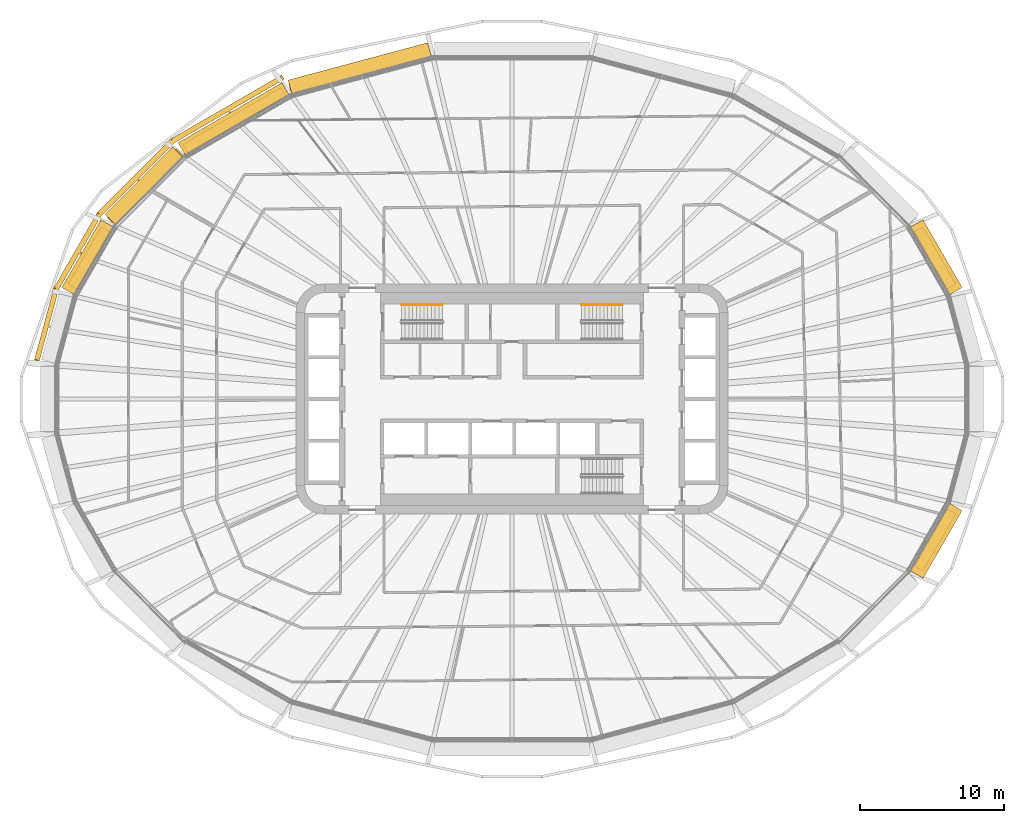
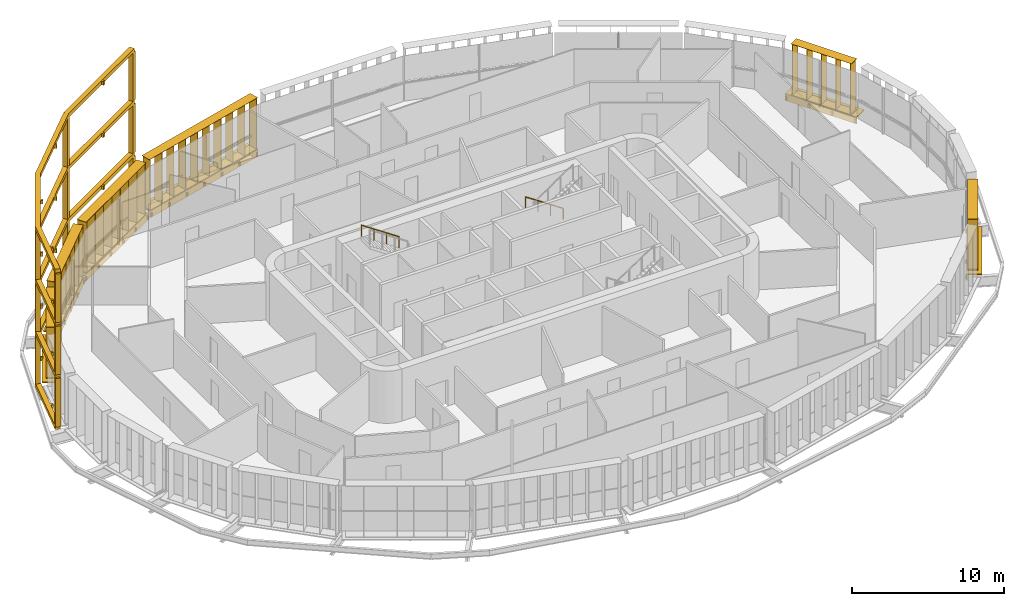
# One storey, part 25 of 26: 13 shading devices, 2 railings.
"""IFC4 building model written with IfcOpenShell, lengths in metres."""

from ifc_helpers import new_model, si_unit, direction, frame, origin, origin_2d, place, context, subcontext, project, spatial, polyline, rectangle, circle, outline, extrude, material, type_object, element, save


model = new_model("IFC4")

# Units and contexts
model_context = context("Model", 3, precision=1e-05, world=origin(), true_north=direction((0.0, 1.0)))
body_context = subcontext(model_context, "Body", "Model", "MODEL_VIEW")
ifc_project = project(units=[si_unit("LENGTHUNIT", "METRE"), si_unit("AREAUNIT", "SQUARE_METRE"), si_unit("VOLUMEUNIT", "CUBIC_METRE"), si_unit("PLANEANGLEUNIT", "RADIAN"), si_unit("MASSUNIT", "GRAM", prefix="KILO")], contexts=[model_context])

# Site, building, storey
site_placement = place(None, origin())
site = spatial("IfcSite", under=ifc_project, at=site_placement, CompositionType="ELEMENT")
building_placement = place(site_placement, origin())
building = spatial("IfcBuilding", under=site, at=building_placement, Name="Sahrelin Media Tower", CompositionType="ELEMENT")
storey_placement = place(building_placement, frame((0.0, 0.0, 84.0)))
storey = spatial("IfcBuildingStorey", under=building, at=storey_placement, Name="L15", CompositionType="ELEMENT", Elevation=84.0)

# Shading devices
ifc_material_1 = material(Name="Dark bronze anodised aluminium 6063-T6", Category="aluminium")
shading_device_type_1 = type_object("IfcShadingDeviceType", Name="Deep frame", PredefinedType="USERDEFINED", material=ifc_material_1)
shading_device_1_placement = place(storey_placement, frame((-15.37841796875, 21.1376953125, 0.0), z_axis=(0.0, 0.0, 1.0), x_axis=(0.866019052629, 0.500011000363, 0.0)))
element("IfcShadingDevice", 1, at=shading_device_1_placement, inside=storey, type_object=shading_device_type_1, Name="L15:FRAME:F1-4", ObjectType="FRAME", PredefinedType="USERDEFINED", context=body_context, shape_type="SweptSolid", body=[
    extrude(rectangle(XDim=0.300048828125, YDim=0.35009765625, at=origin_2d()), frame((0.0, 1.324951171875, 0.14990234375), z_axis=(0.0, 0.0, 1.0), x_axis=(-1.0, 0.0, 0.0)), (0.0, 0.0, 1.0), 3.900146484375),
    extrude(rectangle(XDim=0.300048828125, YDim=0.35009765625, at=origin_2d()), frame((-8.709716796875, 1.313720703125, 0.14990234375), z_axis=(0.0, 0.0, 1.0), x_axis=(-0.991434606813, -0.130604059715, 0.0)), (0.0, 0.0, 1.0), 3.900146484375),
    extrude(rectangle(XDim=0.300048828125, YDim=0.35009765625, at=origin_2d()), frame((-15.657470703125, -0.5478515625, 0.14990234375), z_axis=(0.0, 0.0, 1.0), x_axis=(-0.923876860854, -0.382689882252, 0.0)), (0.0, 0.0, 1.0), 3.900146484375),
    extrude(rectangle(XDim=0.300048828125, YDim=0.35009765625, at=origin_2d()), frame((-20.836181640625, -3.537841796875, 0.14990234375), z_axis=(0.0, 0.0, 1.0), x_axis=(-0.793352277801, -0.608762813671, 0.0)), (0.0, 0.0, 1.0), 3.900146484375),
    extrude(rectangle(XDim=0.300048828125, YDim=0.35009765625, at=origin_2d()), frame((-24.46728515625, -7.15283203125, 0.14990234375), z_axis=(0.0, 0.0, 1.0), x_axis=(-0.707106781187, -0.707106781187, 0.0)), (0.0, 0.0, 1.0), 3.900146484375),
    extrude(outline(polyline([(-22.518798828125, -5.70654296875), (-22.412841796875, -5.6005859375), (-22.5361328125, -5.477294921875), (-20.72900390625, -3.677978515625), (-18.224365234375, -2.23193359375), (-18.139892578125, -2.3779296875), (-18.010009765625, -2.302978515625), (-18.094482421875, -2.156982421875), (-15.58984375, -0.7109375), (-12.210693359375, 0.1943359375), (-12.1669921875, 0.031494140625), (-12.022216796875, 0.0703125), (-12.06591796875, 0.2333984375), (-8.6865234375, 1.138671875), (-4.343505859375, 1.144287109375), (-4.343505859375, 0.969970703125), (-4.193359375, 0.969970703125), (-4.193359375, 1.14453125), (0.000244140625, 1.14990234375), (-0.000244140625, 1.5), (-8.7099609375, 1.48876953125), (-8.709716796875, 1.313720703125), (-8.7548828125, 1.482666015625), (-15.702880859375, -0.37890625), (-15.657470703125, -0.5478515625), (-15.7451171875, -0.396240234375), (-20.923828125, -3.386474609375), (-20.836181640625, -3.537841796875), (-20.959716796875, -3.413818359375), (-24.5908203125, -7.02880859375), (-24.34375, -7.27685546875), (-22.642333984375, -5.5830078125), (-22.518798828125, -5.70654296875)])), frame((0.0, 0.0, -0.14990234375)), (0.0, 0.0, 1.0), 0.2998046875),
    extrude(rectangle(XDim=0.300048828125, YDim=0.35009765625, at=origin_2d()), frame((0.0, 1.324951171875, 4.35009765625), z_axis=(0.0, 0.0, 1.0), x_axis=(-1.0, 0.0, 0.0)), (0.0, 0.0, 1.0), 3.89990234375),
    extrude(rectangle(XDim=0.300048828125, YDim=0.35009765625, at=origin_2d()), frame((-8.709716796875, 1.313720703125, 4.35009765625), z_axis=(0.0, 0.0, 1.0), x_axis=(-0.991434606813, -0.130604059715, 0.0)), (0.0, 0.0, 1.0), 3.89990234375),
    extrude(rectangle(XDim=0.300048828125, YDim=0.35009765625, at=origin_2d()), frame((-15.657470703125, -0.5478515625, 4.35009765625), z_axis=(0.0, 0.0, 1.0), x_axis=(-0.923876860854, -0.382689882252, 0.0)), (0.0, 0.0, 1.0), 3.89990234375),
    extrude(rectangle(XDim=0.300048828125, YDim=0.35009765625, at=origin_2d()), frame((-20.836181640625, -3.537841796875, 4.35009765625), z_axis=(0.0, 0.0, 1.0), x_axis=(-0.793352277801, -0.608762813671, 0.0)), (0.0, 0.0, 1.0), 3.89990234375),
    extrude(rectangle(XDim=0.300048828125, YDim=0.35009765625, at=origin_2d()), frame((-24.46728515625, -7.15283203125, 4.35009765625), z_axis=(0.0, 0.0, 1.0), x_axis=(-0.707106781187, -0.707106781187, 0.0)), (0.0, 0.0, 1.0), 3.89990234375),
    extrude(outline(polyline([(-22.518798828125, -5.70654296875), (-22.412841796875, -5.6005859375), (-22.5361328125, -5.477294921875), (-20.72900390625, -3.677978515625), (-18.224365234375, -2.23193359375), (-18.139892578125, -2.3779296875), (-18.010009765625, -2.302978515625), (-18.094482421875, -2.156982421875), (-15.58984375, -0.7109375), (-12.210693359375, 0.1943359375), (-12.1669921875, 0.031494140625), (-12.022216796875, 0.0703125), (-12.06591796875, 0.2333984375), (-8.6865234375, 1.138671875), (-4.343505859375, 1.144287109375), (-4.343505859375, 0.969970703125), (-4.193359375, 0.969970703125), (-4.193359375, 1.14453125), (0.000244140625, 1.14990234375), (-0.000244140625, 1.5), (-8.7099609375, 1.48876953125), (-8.709716796875, 1.313720703125), (-8.7548828125, 1.482666015625), (-15.702880859375, -0.37890625), (-15.657470703125, -0.5478515625), (-15.7451171875, -0.396240234375), (-20.923828125, -3.386474609375), (-20.836181640625, -3.537841796875), (-20.959716796875, -3.413818359375), (-24.5908203125, -7.02880859375), (-24.34375, -7.27685546875), (-22.642333984375, -5.5830078125), (-22.518798828125, -5.70654296875)])), frame((0.0, 0.0, 4.050048828125)), (0.0, 0.0, 1.0), 0.300048828125),
    extrude(rectangle(XDim=0.300048828125, YDim=0.35009765625, at=origin_2d()), frame((0.0, 1.324951171875, 8.550048828125), z_axis=(0.0, 0.0, 1.0), x_axis=(-1.0, 0.0, 0.0)), (0.0, 0.0, 1.0), 3.89990234375),
    extrude(rectangle(XDim=0.300048828125, YDim=0.35009765625, at=origin_2d()), frame((-8.709716796875, 1.313720703125, 8.550048828125), z_axis=(0.0, 0.0, 1.0), x_axis=(-0.991434606813, -0.130604059715, 0.0)), (0.0, 0.0, 1.0), 3.89990234375),
    extrude(rectangle(XDim=0.300048828125, YDim=0.35009765625, at=origin_2d()), frame((-15.657470703125, -0.5478515625, 8.550048828125), z_axis=(0.0, 0.0, 1.0), x_axis=(-0.923876860854, -0.382689882252, 0.0)), (0.0, 0.0, 1.0), 3.89990234375),
    extrude(rectangle(XDim=0.300048828125, YDim=0.35009765625, at=origin_2d()), frame((-20.836181640625, -3.537841796875, 8.550048828125), z_axis=(0.0, 0.0, 1.0), x_axis=(-0.793352277801, -0.608762813671, 0.0)), (0.0, 0.0, 1.0), 3.89990234375),
    extrude(rectangle(XDim=0.300048828125, YDim=0.35009765625, at=origin_2d()), frame((-24.46728515625, -7.15283203125, 8.550048828125), z_axis=(0.0, 0.0, 1.0), x_axis=(-0.707106781187, -0.707106781187, 0.0)), (0.0, 0.0, 1.0), 3.89990234375),
    extrude(outline(polyline([(-22.518798828125, -5.70654296875), (-22.412841796875, -5.6005859375), (-22.5361328125, -5.477294921875), (-20.72900390625, -3.677978515625), (-18.224365234375, -2.23193359375), (-18.139892578125, -2.3779296875), (-18.010009765625, -2.302978515625), (-18.094482421875, -2.156982421875), (-15.58984375, -0.7109375), (-12.210693359375, 0.1943359375), (-12.1669921875, 0.031494140625), (-12.022216796875, 0.0703125), (-12.06591796875, 0.2333984375), (-8.6865234375, 1.138671875), (-4.343505859375, 1.144287109375), (-4.343505859375, 0.969970703125), (-4.193359375, 0.969970703125), (-4.193359375, 1.14453125), (0.000244140625, 1.14990234375), (-0.000244140625, 1.5), (-8.7099609375, 1.48876953125), (-8.709716796875, 1.313720703125), (-8.7548828125, 1.482666015625), (-15.702880859375, -0.37890625), (-15.657470703125, -0.5478515625), (-15.7451171875, -0.396240234375), (-20.923828125, -3.386474609375), (-20.836181640625, -3.537841796875), (-20.959716796875, -3.413818359375), (-24.5908203125, -7.02880859375), (-24.34375, -7.27685546875), (-22.642333984375, -5.5830078125), (-22.518798828125, -5.70654296875)])), frame((0.0, 0.0, 8.25)), (0.0, 0.0, 1.0), 0.300048828125),
    extrude(outline(polyline([(-22.518798828125, -5.70654296875), (-22.412841796875, -5.6005859375), (-22.5361328125, -5.477294921875), (-20.72900390625, -3.677978515625), (-18.224365234375, -2.23193359375), (-18.139892578125, -2.3779296875), (-18.010009765625, -2.302978515625), (-18.094482421875, -2.156982421875), (-15.58984375, -0.7109375), (-12.210693359375, 0.1943359375), (-12.1669921875, 0.031494140625), (-12.022216796875, 0.0703125), (-12.06591796875, 0.2333984375), (-8.6865234375, 1.138671875), (-4.343505859375, 1.144287109375), (-4.343505859375, 0.969970703125), (-4.193359375, 0.969970703125), (-4.193359375, 1.14453125), (0.000244140625, 1.14990234375), (-0.000244140625, 1.5), (-8.7099609375, 1.48876953125), (-8.709716796875, 1.313720703125), (-8.7548828125, 1.482666015625), (-15.702880859375, -0.37890625), (-15.657470703125, -0.5478515625), (-15.7451171875, -0.396240234375), (-20.923828125, -3.386474609375), (-20.836181640625, -3.537841796875), (-20.959716796875, -3.413818359375), (-24.5908203125, -7.02880859375), (-24.34375, -7.27685546875), (-22.642333984375, -5.5830078125), (-22.518798828125, -5.70654296875)])), frame((0.0, 0.0, 12.449951171875)), (0.0, 0.0, 1.0), 0.300048828125),
])
ifc_material_2 = material(Name="Champagne anodised aluminium 6063-T6", Category="aluminium")
shading_device_type_2 = type_object("IfcShadingDeviceType", Name="Fin cassette", PredefinedType="USERDEFINED", material=ifc_material_2)
placement_1 = place(storey_placement, frame((29.021484375, 9.58837890625, 0.0), z_axis=(0.0, 0.0, 1.0), x_axis=(0.500011000363, -0.866019052629, 0.0)))
element("IfcShadingDevice", 2, at=placement_1, inside=storey, type_object=shading_device_type_2, Name="L15:FIN:L15-02", ObjectType="FIN", PredefinedType="USERDEFINED", context=body_context, shape_type="SweptSolid", body=[
    extrude(rectangle(XDim=4.60009765625, YDim=0.699951171875, at=origin_2d()), frame((0.0, 0.419921875, 0.0)), (0.0, 0.0, 1.0), 0.02001953125),
    extrude(rectangle(XDim=4.60009765625, YDim=0.699951171875, at=origin_2d()), frame((0.0, 0.419921875, 4.10009765625)), (0.0, 0.0, 1.0), 0.02001953125),
    extrude(rectangle(XDim=0.02001953125, YDim=0.699951171875, at=origin_2d()), frame((-2.199951171875, 0.419921875, 0.010009765625), z_axis=(0.0, 0.0, 1.0), x_axis=(1.0, 0.0, 0.0)), (0.0, 0.0, 1.0), 4.10009765625),
    extrude(rectangle(XDim=0.02001953125, YDim=0.699951171875, at=origin_2d()), frame((-1.10009765625, 0.419921875, 0.010009765625), z_axis=(0.0, 0.0, 1.0), x_axis=(1.0, 0.0, 0.0)), (0.0, 0.0, 1.0), 4.10009765625),
    extrude(rectangle(XDim=0.02001953125, YDim=0.699951171875, at=origin_2d()), frame((0.0, 0.419921875, 0.010009765625), z_axis=(0.0, 0.0, 1.0), x_axis=(1.0, 0.0, 0.0)), (0.0, 0.0, 1.0), 4.10009765625),
    extrude(rectangle(XDim=0.02001953125, YDim=0.699951171875, at=origin_2d()), frame((1.10009765625, 0.419921875, 0.010009765625), z_axis=(0.0, 0.0, 1.0), x_axis=(1.0, 0.0, 0.0)), (0.0, 0.0, 1.0), 4.10009765625),
    extrude(rectangle(XDim=0.02001953125, YDim=0.699951171875, at=origin_2d()), frame((2.199951171875, 0.419921875, 0.010009765625), z_axis=(0.0, 0.0, 1.0), x_axis=(1.0, 0.0, 0.0)), (0.0, 0.0, 1.0), 4.10009765625),
])
placement_2 = place(storey_placement, frame((-10.436279296875, 22.4619140625, 0.0), z_axis=(0.0, 0.0, 1.0), x_axis=(0.965928857556, 0.258807731996, 0.0)))
element("IfcShadingDevice", 3, at=placement_2, inside=storey, type_object=shading_device_type_2, Name="L15:FIN:L15-07", ObjectType="FIN", PredefinedType="USERDEFINED", context=body_context, shape_type="SweptSolid", body=[
    extrude(rectangle(XDim=10.10009765625, YDim=0.699951171875, at=origin_2d()), frame((0.0, 0.419921875, 0.0)), (0.0, 0.0, 1.0), 0.02001953125),
    extrude(rectangle(XDim=10.10009765625, YDim=0.699951171875, at=origin_2d()), frame((0.0, 0.419921875, 4.10009765625)), (0.0, 0.0, 1.0), 0.02001953125),
    extrude(rectangle(XDim=0.02001953125, YDim=0.699951171875, at=origin_2d()), frame((-4.949951171875, 0.419921875, 0.010009765625), z_axis=(0.0, 0.0, 1.0), x_axis=(1.0, 0.0, 0.0)), (0.0, 0.0, 1.0), 4.10009765625),
    extrude(rectangle(XDim=0.02001953125, YDim=0.699951171875, at=origin_2d()), frame((-3.85009765625, 0.419921875, 0.010009765625), z_axis=(0.0, 0.0, 1.0), x_axis=(1.0, 0.0, 0.0)), (0.0, 0.0, 1.0), 4.10009765625),
    extrude(rectangle(XDim=0.02001953125, YDim=0.699951171875, at=origin_2d()), frame((-2.75, 0.419921875, 0.010009765625), z_axis=(0.0, 0.0, 1.0), x_axis=(1.0, 0.0, 0.0)), (0.0, 0.0, 1.0), 4.10009765625),
    extrude(rectangle(XDim=0.02001953125, YDim=0.699951171875, at=origin_2d()), frame((-1.64990234375, 0.419921875, 0.010009765625), z_axis=(0.0, 0.0, 1.0), x_axis=(1.0, 0.0, 0.0)), (0.0, 0.0, 1.0), 4.10009765625),
    extrude(rectangle(XDim=0.02001953125, YDim=0.699951171875, at=origin_2d()), frame((-0.550048828125, 0.419921875, 0.010009765625), z_axis=(0.0, 0.0, 1.0), x_axis=(1.0, 0.0, 0.0)), (0.0, 0.0, 1.0), 4.10009765625),
    extrude(rectangle(XDim=0.02001953125, YDim=0.699951171875, at=origin_2d()), frame((0.550048828125, 0.419921875, 0.010009765625), z_axis=(0.0, 0.0, 1.0), x_axis=(1.0, 0.0, 0.0)), (0.0, 0.0, 1.0), 4.10009765625),
    extrude(rectangle(XDim=0.02001953125, YDim=0.699951171875, at=origin_2d()), frame((1.64990234375, 0.419921875, 0.010009765625), z_axis=(0.0, 0.0, 1.0), x_axis=(1.0, 0.0, 0.0)), (0.0, 0.0, 1.0), 4.10009765625),
    extrude(rectangle(XDim=0.02001953125, YDim=0.699951171875, at=origin_2d()), frame((2.75, 0.419921875, 0.010009765625), z_axis=(0.0, 0.0, 1.0), x_axis=(1.0, 0.0, 0.0)), (0.0, 0.0, 1.0), 4.10009765625),
    extrude(rectangle(XDim=0.02001953125, YDim=0.699951171875, at=origin_2d()), frame((3.85009765625, 0.419921875, 0.010009765625), z_axis=(0.0, 0.0, 1.0), x_axis=(1.0, 0.0, 0.0)), (0.0, 0.0, 1.0), 4.10009765625),
    extrude(rectangle(XDim=0.02001953125, YDim=0.699951171875, at=origin_2d()), frame((4.949951171875, 0.419921875, 0.010009765625), z_axis=(0.0, 0.0, 1.0), x_axis=(1.0, 0.0, 0.0)), (0.0, 0.0, 1.0), 4.10009765625),
])
placement_3 = place(storey_placement, frame((-19.074951171875, 19.003662109375, 0.0), z_axis=(0.0, 0.0, 1.0), x_axis=(0.866019052629, 0.500011000363, 0.0)))
element("IfcShadingDevice", 4, at=placement_3, inside=storey, type_object=shading_device_type_2, Name="L15:FIN:L15-08", ObjectType="FIN", PredefinedType="USERDEFINED", context=body_context, shape_type="SweptSolid", body=[
    extrude(rectangle(XDim=7.89990234375, YDim=0.699951171875, at=origin_2d()), frame((0.0, 0.419921875, 0.0)), (0.0, 0.0, 1.0), 0.02001953125),
    extrude(rectangle(XDim=7.89990234375, YDim=0.699951171875, at=origin_2d()), frame((0.0, 0.419921875, 4.10009765625)), (0.0, 0.0, 1.0), 0.02001953125),
    extrude(rectangle(XDim=0.02001953125, YDim=0.699951171875, at=origin_2d()), frame((-3.85009765625, 0.419921875, 0.010009765625), z_axis=(0.0, 0.0, 1.0), x_axis=(1.0, 0.0, 0.0)), (0.0, 0.0, 1.0), 4.10009765625),
    extrude(rectangle(XDim=0.02001953125, YDim=0.699951171875, at=origin_2d()), frame((-2.75, 0.419921875, 0.010009765625), z_axis=(0.0, 0.0, 1.0), x_axis=(1.0, 0.0, 0.0)), (0.0, 0.0, 1.0), 4.10009765625),
    extrude(rectangle(XDim=0.02001953125, YDim=0.699951171875, at=origin_2d()), frame((-1.64990234375, 0.419921875, 0.010009765625), z_axis=(0.0, 0.0, 1.0), x_axis=(1.0, 0.0, 0.0)), (0.0, 0.0, 1.0), 4.10009765625),
    extrude(rectangle(XDim=0.02001953125, YDim=0.699951171875, at=origin_2d()), frame((-0.550048828125, 0.419921875, 0.010009765625), z_axis=(0.0, 0.0, 1.0), x_axis=(1.0, 0.0, 0.0)), (0.0, 0.0, 1.0), 4.10009765625),
    extrude(rectangle(XDim=0.02001953125, YDim=0.699951171875, at=origin_2d()), frame((0.550048828125, 0.419921875, 0.010009765625), z_axis=(0.0, 0.0, 1.0), x_axis=(1.0, 0.0, 0.0)), (0.0, 0.0, 1.0), 4.10009765625),
    extrude(rectangle(XDim=0.02001953125, YDim=0.699951171875, at=origin_2d()), frame((1.64990234375, 0.419921875, 0.010009765625), z_axis=(0.0, 0.0, 1.0), x_axis=(1.0, 0.0, 0.0)), (0.0, 0.0, 1.0), 4.10009765625),
    extrude(rectangle(XDim=0.02001953125, YDim=0.699951171875, at=origin_2d()), frame((2.75, 0.419921875, 0.010009765625), z_axis=(0.0, 0.0, 1.0), x_axis=(1.0, 0.0, 0.0)), (0.0, 0.0, 1.0), 4.10009765625),
    extrude(rectangle(XDim=0.02001953125, YDim=0.699951171875, at=origin_2d()), frame((3.85009765625, 0.419921875, 0.010009765625), z_axis=(0.0, 0.0, 1.0), x_axis=(1.0, 0.0, 0.0)), (0.0, 0.0, 1.0), 4.10009765625),
])
placement_4 = place(storey_placement, frame((-25.192138671875, 14.44873046875, 0.0), z_axis=(0.0, 0.0, 1.0), x_axis=(0.707106781187, 0.707106781187, 0.0)))
element("IfcShadingDevice", 5, at=placement_4, inside=storey, type_object=shading_device_type_2, Name="L15:FIN:L15-09", ObjectType="FIN", PredefinedType="USERDEFINED", context=body_context, shape_type="SweptSolid", body=[
    extrude(rectangle(XDim=6.800048828125, YDim=0.699951171875, at=origin_2d()), frame((0.0, 0.419921875, 0.0)), (0.0, 0.0, 1.0), 0.02001953125),
    extrude(rectangle(XDim=6.800048828125, YDim=0.699951171875, at=origin_2d()), frame((0.0, 0.419921875, 4.10009765625)), (0.0, 0.0, 1.0), 0.02001953125),
    extrude(rectangle(XDim=0.02001953125, YDim=0.699951171875, at=origin_2d()), frame((-3.300048828125, 0.419921875, 0.010009765625), z_axis=(0.0, 0.0, 1.0), x_axis=(1.0, 0.0, 0.0)), (0.0, 0.0, 1.0), 4.10009765625),
    extrude(rectangle(XDim=0.02001953125, YDim=0.699951171875, at=origin_2d()), frame((-2.199951171875, 0.419921875, 0.010009765625), z_axis=(0.0, 0.0, 1.0), x_axis=(1.0, 0.0, 0.0)), (0.0, 0.0, 1.0), 4.10009765625),
    extrude(rectangle(XDim=0.02001953125, YDim=0.699951171875, at=origin_2d()), frame((-1.10009765625, 0.419921875, 0.010009765625), z_axis=(0.0, 0.0, 1.0), x_axis=(1.0, 0.0, 0.0)), (0.0, 0.0, 1.0), 4.10009765625),
    extrude(rectangle(XDim=0.02001953125, YDim=0.699951171875, at=origin_2d()), frame((0.0, 0.419921875, 0.010009765625), z_axis=(0.0, 0.0, 1.0), x_axis=(1.0, 0.0, 0.0)), (0.0, 0.0, 1.0), 4.10009765625),
    extrude(rectangle(XDim=0.02001953125, YDim=0.699951171875, at=origin_2d()), frame((1.10009765625, 0.419921875, 0.010009765625), z_axis=(0.0, 0.0, 1.0), x_axis=(1.0, 0.0, 0.0)), (0.0, 0.0, 1.0), 4.10009765625),
    extrude(rectangle(XDim=0.02001953125, YDim=0.699951171875, at=origin_2d()), frame((2.199951171875, 0.419921875, 0.010009765625), z_axis=(0.0, 0.0, 1.0), x_axis=(1.0, 0.0, 0.0)), (0.0, 0.0, 1.0), 4.10009765625),
    extrude(rectangle(XDim=0.02001953125, YDim=0.699951171875, at=origin_2d()), frame((3.300048828125, 0.419921875, 0.010009765625), z_axis=(0.0, 0.0, 1.0), x_axis=(1.0, 0.0, 0.0)), (0.0, 0.0, 1.0), 4.10009765625),
])
placement_5 = place(storey_placement, frame((-29.021484375, 9.58837890625, 0.0), z_axis=(0.0, 0.0, 1.0), x_axis=(0.500011000363, 0.866019052629, 0.0)))
element("IfcShadingDevice", 6, at=placement_5, inside=storey, type_object=shading_device_type_2, Name="L15:FIN:L15-10", ObjectType="FIN", PredefinedType="USERDEFINED", context=body_context, shape_type="SweptSolid", body=[
    extrude(rectangle(XDim=4.60009765625, YDim=0.699951171875, at=origin_2d()), frame((0.0, 0.419921875, 0.0)), (0.0, 0.0, 1.0), 0.02001953125),
    extrude(rectangle(XDim=4.60009765625, YDim=0.699951171875, at=origin_2d()), frame((0.0, 0.419921875, 4.10009765625)), (0.0, 0.0, 1.0), 0.02001953125),
    extrude(rectangle(XDim=0.02001953125, YDim=0.699951171875, at=origin_2d()), frame((-2.199951171875, 0.419921875, 0.010009765625), z_axis=(0.0, 0.0, 1.0), x_axis=(1.0, 0.0, 0.0)), (0.0, 0.0, 1.0), 4.10009765625),
    extrude(rectangle(XDim=0.02001953125, YDim=0.699951171875, at=origin_2d()), frame((-1.10009765625, 0.419921875, 0.010009765625), z_axis=(0.0, 0.0, 1.0), x_axis=(1.0, 0.0, 0.0)), (0.0, 0.0, 1.0), 4.10009765625),
    extrude(rectangle(XDim=0.02001953125, YDim=0.699951171875, at=origin_2d()), frame((0.0, 0.419921875, 0.010009765625), z_axis=(0.0, 0.0, 1.0), x_axis=(1.0, 0.0, 0.0)), (0.0, 0.0, 1.0), 4.10009765625),
    extrude(rectangle(XDim=0.02001953125, YDim=0.699951171875, at=origin_2d()), frame((1.10009765625, 0.419921875, 0.010009765625), z_axis=(0.0, 0.0, 1.0), x_axis=(1.0, 0.0, 0.0)), (0.0, 0.0, 1.0), 4.10009765625),
    extrude(rectangle(XDim=0.02001953125, YDim=0.699951171875, at=origin_2d()), frame((2.199951171875, 0.419921875, 0.010009765625), z_axis=(0.0, 0.0, 1.0), x_axis=(1.0, 0.0, 0.0)), (0.0, 0.0, 1.0), 4.10009765625),
])
placement_6 = place(storey_placement, frame((29.021484375, -9.58837890625, 0.0), z_axis=(0.0, 0.0, 1.0), x_axis=(-0.500011000363, -0.866019052629, 0.0)))
element("IfcShadingDevice", 7, at=placement_6, inside=storey, type_object=shading_device_type_2, Name="L15:FIN:L15-22", ObjectType="FIN", PredefinedType="USERDEFINED", context=body_context, shape_type="SweptSolid", body=[
    extrude(rectangle(XDim=4.60009765625, YDim=0.699951171875, at=origin_2d()), frame((0.0, 0.419921875, 0.0)), (0.0, 0.0, 1.0), 0.02001953125),
    extrude(rectangle(XDim=4.60009765625, YDim=0.699951171875, at=origin_2d()), frame((0.0, 0.419921875, 4.10009765625)), (0.0, 0.0, 1.0), 0.02001953125),
    extrude(rectangle(XDim=0.02001953125, YDim=0.699951171875, at=origin_2d()), frame((-2.199951171875, 0.419921875, 0.010009765625), z_axis=(0.0, 0.0, 1.0), x_axis=(1.0, 0.0, 0.0)), (0.0, 0.0, 1.0), 4.10009765625),
    extrude(rectangle(XDim=0.02001953125, YDim=0.699951171875, at=origin_2d()), frame((-1.10009765625, 0.419921875, 0.010009765625), z_axis=(0.0, 0.0, 1.0), x_axis=(1.0, 0.0, 0.0)), (0.0, 0.0, 1.0), 4.10009765625),
    extrude(rectangle(XDim=0.02001953125, YDim=0.699951171875, at=origin_2d()), frame((0.0, 0.419921875, 0.010009765625), z_axis=(0.0, 0.0, 1.0), x_axis=(1.0, 0.0, 0.0)), (0.0, 0.0, 1.0), 4.10009765625),
    extrude(rectangle(XDim=0.02001953125, YDim=0.699951171875, at=origin_2d()), frame((1.10009765625, 0.419921875, 0.010009765625), z_axis=(0.0, 0.0, 1.0), x_axis=(1.0, 0.0, 0.0)), (0.0, 0.0, 1.0), 4.10009765625),
    extrude(rectangle(XDim=0.02001953125, YDim=0.699951171875, at=origin_2d()), frame((2.199951171875, 0.419921875, 0.010009765625), z_axis=(0.0, 0.0, 1.0), x_axis=(1.0, 0.0, 0.0)), (0.0, 0.0, 1.0), 4.10009765625),
])

# Railings
ifc_material_3 = material(Name="Steel S355", Category="steel")
railing_type = type_object("IfcRailingType", Name="Stair handrail 900", PredefinedType="HANDRAIL", material=ifc_material_3)
for number, where, name in (
    (8, (-4.81494140625, 6.550048828125, 2.27490234375), "L15 ST1 stair handrail 2"),
    (9, (7.675048828125, 6.550048828125, 0.175048828125), "L15 ST3 stair handrail 1"),
):
    element("IfcRailing", number, at=place(storey_placement, frame(where)), inside=storey, type_object=railing_type, Name=name, PredefinedType="HANDRAIL", context=body_context, shape_type="SweptSolid", body=[
        extrude(circle(Radius=0.02392578125, at=origin_2d()), frame((0.0, 0.0, 0.8759765625), z_axis=(-0.829590901723, 0.0, 0.558371682465), x_axis=(0.0, -1.0, 0.0)), (0.0, 0.0, 1.0), 3.447509765625),
        extrude(circle(Radius=0.02099609375, at=origin_2d()), origin(), (0.0, 0.0, 1.0), 0.851806640625),
        extrude(circle(Radius=0.02099609375, at=origin_2d()), frame((-0.953369140625, 0.0, 0.6416015625)), (0.0, 0.0, 1.0), 0.851806640625),
        extrude(circle(Radius=0.02099609375, at=origin_2d()), frame((-1.90673828125, 0.0, 1.283447265625)), (0.0, 0.0, 1.0), 0.851806640625),
        extrude(circle(Radius=0.02099609375, at=origin_2d()), frame((-2.860107421875, 0.0, 1.925048828125)), (0.0, 0.0, 1.0), 0.851806640625),
    ])

# Shading devices
shading_device_type_3 = type_object("IfcShadingDeviceType", Name="Sunshade band", PredefinedType="USERDEFINED", material=ifc_material_2)
element("IfcShadingDevice", 10, at=placement_1, inside=storey, type_object=shading_device_type_3, Name="L15:SUN:L15-02", ObjectType="SUNSHADE", PredefinedType="USERDEFINED", context=body_context, shape_type="SweptSolid", body=[
    extrude(rectangle(XDim=5.43408203125, YDim=0.050048828125, at=origin_2d()), frame((0.0, 0.044921875, -0.55126953125)), (0.0, 0.0, 1.0), 0.471435546875),
    extrude(rectangle(XDim=5.43408203125, YDim=1.0, at=origin_2d()), frame((0.0, 0.52001953125, -0.080078125)), (0.0, 0.0, 1.0), 0.080078125),
    extrude(rectangle(XDim=0.10009765625, YDim=0.074951171875, at=origin_2d()), frame((-2.616943359375, -0.017578125, -0.47021484375)), (0.0, 0.0, 1.0), 0.300048828125),
    extrude(rectangle(XDim=0.10009765625, YDim=0.074951171875, at=origin_2d()), frame((-0.872314453125, -0.017578125, -0.47021484375)), (0.0, 0.0, 1.0), 0.300048828125),
    extrude(rectangle(XDim=0.10009765625, YDim=0.074951171875, at=origin_2d()), frame((0.872314453125, -0.017578125, -0.47021484375)), (0.0, 0.0, 1.0), 0.300048828125),
    extrude(rectangle(XDim=0.10009765625, YDim=0.074951171875, at=origin_2d()), frame((2.616943359375, -0.017578125, -0.47021484375)), (0.0, 0.0, 1.0), 0.300048828125),
])
element("IfcShadingDevice", 11, at=placement_2, inside=storey, type_object=shading_device_type_3, Name="L15:SUN:L15-07", ObjectType="SUNSHADE", PredefinedType="USERDEFINED", context=body_context, shape_type="SweptSolid", body=[
    extrude(rectangle(XDim=10.033203125, YDim=0.050048828125, at=origin_2d()), frame((0.0, 0.044921875, -0.55126953125)), (0.0, 0.0, 1.0), 0.471435546875),
    extrude(rectangle(XDim=10.033203125, YDim=1.0, at=origin_2d()), frame((0.0, 0.52001953125, -0.080078125)), (0.0, 0.0, 1.0), 0.080078125),
    extrude(rectangle(XDim=0.10009765625, YDim=0.074951171875, at=origin_2d()), frame((-4.91650390625, -0.017578125, -0.47021484375)), (0.0, 0.0, 1.0), 0.300048828125),
    extrude(rectangle(XDim=0.10009765625, YDim=0.074951171875, at=origin_2d()), frame((-3.277587890625, -0.017578125, -0.47021484375)), (0.0, 0.0, 1.0), 0.300048828125),
    extrude(rectangle(XDim=0.10009765625, YDim=0.074951171875, at=origin_2d()), frame((-1.638916015625, -0.017578125, -0.47021484375)), (0.0, 0.0, 1.0), 0.300048828125),
    extrude(rectangle(XDim=0.10009765625, YDim=0.074951171875, at=origin_2d()), frame((0.0, -0.017578125, -0.47021484375)), (0.0, 0.0, 1.0), 0.300048828125),
    extrude(rectangle(XDim=0.10009765625, YDim=0.074951171875, at=origin_2d()), frame((1.638916015625, -0.017578125, -0.47021484375)), (0.0, 0.0, 1.0), 0.300048828125),
    extrude(rectangle(XDim=0.10009765625, YDim=0.074951171875, at=origin_2d()), frame((3.277587890625, -0.017578125, -0.47021484375)), (0.0, 0.0, 1.0), 0.300048828125),
    extrude(rectangle(XDim=0.10009765625, YDim=0.074951171875, at=origin_2d()), frame((4.91650390625, -0.017578125, -0.47021484375)), (0.0, 0.0, 1.0), 0.300048828125),
])
element("IfcShadingDevice", 12, at=placement_3, inside=storey, type_object=shading_device_type_3, Name="L15:SUN:L15-08", ObjectType="SUNSHADE", PredefinedType="USERDEFINED", context=body_context, shape_type="SweptSolid", body=[
    extrude(rectangle(XDim=8.336669921875, YDim=0.050048828125, at=origin_2d()), frame((0.0, 0.044921875, -0.55126953125)), (0.0, 0.0, 1.0), 0.471435546875),
    extrude(rectangle(XDim=8.336669921875, YDim=1.0, at=origin_2d()), frame((0.0, 0.52001953125, -0.080078125)), (0.0, 0.0, 1.0), 0.080078125),
    extrude(rectangle(XDim=0.10009765625, YDim=0.074951171875, at=origin_2d()), frame((-4.068359375, -0.017578125, -0.47021484375)), (0.0, 0.0, 1.0), 0.300048828125),
    extrude(rectangle(XDim=0.10009765625, YDim=0.074951171875, at=origin_2d()), frame((-2.44091796875, -0.017578125, -0.47021484375)), (0.0, 0.0, 1.0), 0.300048828125),
    extrude(rectangle(XDim=0.10009765625, YDim=0.074951171875, at=origin_2d()), frame((-0.813720703125, -0.017578125, -0.47021484375)), (0.0, 0.0, 1.0), 0.300048828125),
    extrude(rectangle(XDim=0.10009765625, YDim=0.074951171875, at=origin_2d()), frame((0.813720703125, -0.017578125, -0.47021484375)), (0.0, 0.0, 1.0), 0.300048828125),
    extrude(rectangle(XDim=0.10009765625, YDim=0.074951171875, at=origin_2d()), frame((2.44091796875, -0.017578125, -0.47021484375)), (0.0, 0.0, 1.0), 0.300048828125),
    extrude(rectangle(XDim=0.10009765625, YDim=0.074951171875, at=origin_2d()), frame((4.068359375, -0.017578125, -0.47021484375)), (0.0, 0.0, 1.0), 0.300048828125),
])
element("IfcShadingDevice", 13, at=placement_4, inside=storey, type_object=shading_device_type_3, Name="L15:SUN:L15-09", ObjectType="SUNSHADE", PredefinedType="USERDEFINED", context=body_context, shape_type="SweptSolid", body=[
    extrude(rectangle(XDim=6.64697265625, YDim=0.050048828125, at=origin_2d()), frame((0.0, 0.044921875, -0.55126953125)), (0.0, 0.0, 1.0), 0.471435546875),
    extrude(rectangle(XDim=6.64697265625, YDim=1.0, at=origin_2d()), frame((0.0, 0.52001953125, -0.080078125)), (0.0, 0.0, 1.0), 0.080078125),
    extrude(rectangle(XDim=0.10009765625, YDim=0.074951171875, at=origin_2d()), frame((-3.223388671875, -0.017578125, -0.47021484375)), (0.0, 0.0, 1.0), 0.300048828125),
    extrude(rectangle(XDim=0.10009765625, YDim=0.074951171875, at=origin_2d()), frame((-1.61181640625, -0.017578125, -0.47021484375)), (0.0, 0.0, 1.0), 0.300048828125),
    extrude(rectangle(XDim=0.10009765625, YDim=0.074951171875, at=origin_2d()), frame((0.0, -0.017578125, -0.47021484375)), (0.0, 0.0, 1.0), 0.300048828125),
    extrude(rectangle(XDim=0.10009765625, YDim=0.074951171875, at=origin_2d()), frame((1.61181640625, -0.017578125, -0.47021484375)), (0.0, 0.0, 1.0), 0.300048828125),
    extrude(rectangle(XDim=0.10009765625, YDim=0.074951171875, at=origin_2d()), frame((3.223388671875, -0.017578125, -0.47021484375)), (0.0, 0.0, 1.0), 0.300048828125),
])
element("IfcShadingDevice", 14, at=placement_5, inside=storey, type_object=shading_device_type_3, Name="L15:SUN:L15-10", ObjectType="SUNSHADE", PredefinedType="USERDEFINED", context=body_context, shape_type="SweptSolid", body=[
    extrude(rectangle(XDim=5.43408203125, YDim=0.050048828125, at=origin_2d()), frame((0.0, 0.044921875, -0.55126953125)), (0.0, 0.0, 1.0), 0.471435546875),
    extrude(rectangle(XDim=5.43408203125, YDim=1.0, at=origin_2d()), frame((0.0, 0.52001953125, -0.080078125)), (0.0, 0.0, 1.0), 0.080078125),
    extrude(rectangle(XDim=0.10009765625, YDim=0.074951171875, at=origin_2d()), frame((-2.616943359375, -0.017578125, -0.47021484375)), (0.0, 0.0, 1.0), 0.300048828125),
    extrude(rectangle(XDim=0.10009765625, YDim=0.074951171875, at=origin_2d()), frame((-0.872314453125, -0.017578125, -0.47021484375)), (0.0, 0.0, 1.0), 0.300048828125),
    extrude(rectangle(XDim=0.10009765625, YDim=0.074951171875, at=origin_2d()), frame((0.872314453125, -0.017578125, -0.47021484375)), (0.0, 0.0, 1.0), 0.300048828125),
    extrude(rectangle(XDim=0.10009765625, YDim=0.074951171875, at=origin_2d()), frame((2.616943359375, -0.017578125, -0.47021484375)), (0.0, 0.0, 1.0), 0.300048828125),
])
element("IfcShadingDevice", 15, at=placement_6, inside=storey, type_object=shading_device_type_3, Name="L15:SUN:L15-22", ObjectType="SUNSHADE", PredefinedType="USERDEFINED", context=body_context, shape_type="SweptSolid", body=[
    extrude(rectangle(XDim=5.43408203125, YDim=0.050048828125, at=origin_2d()), frame((0.0, 0.044921875, -0.55126953125)), (0.0, 0.0, 1.0), 0.471435546875),
    extrude(rectangle(XDim=5.43408203125, YDim=1.0, at=origin_2d()), frame((0.0, 0.52001953125, -0.080078125)), (0.0, 0.0, 1.0), 0.080078125),
    extrude(rectangle(XDim=0.10009765625, YDim=0.074951171875, at=origin_2d()), frame((-2.616943359375, -0.017578125, -0.47021484375)), (0.0, 0.0, 1.0), 0.300048828125),
    extrude(rectangle(XDim=0.10009765625, YDim=0.074951171875, at=origin_2d()), frame((-0.872314453125, -0.017578125, -0.47021484375)), (0.0, 0.0, 1.0), 0.300048828125),
    extrude(rectangle(XDim=0.10009765625, YDim=0.074951171875, at=origin_2d()), frame((0.872314453125, -0.017578125, -0.47021484375)), (0.0, 0.0, 1.0), 0.300048828125),
    extrude(rectangle(XDim=0.10009765625, YDim=0.074951171875, at=origin_2d()), frame((2.616943359375, -0.017578125, -0.47021484375)), (0.0, 0.0, 1.0), 0.300048828125),
])

save(model, "model.ifc")
